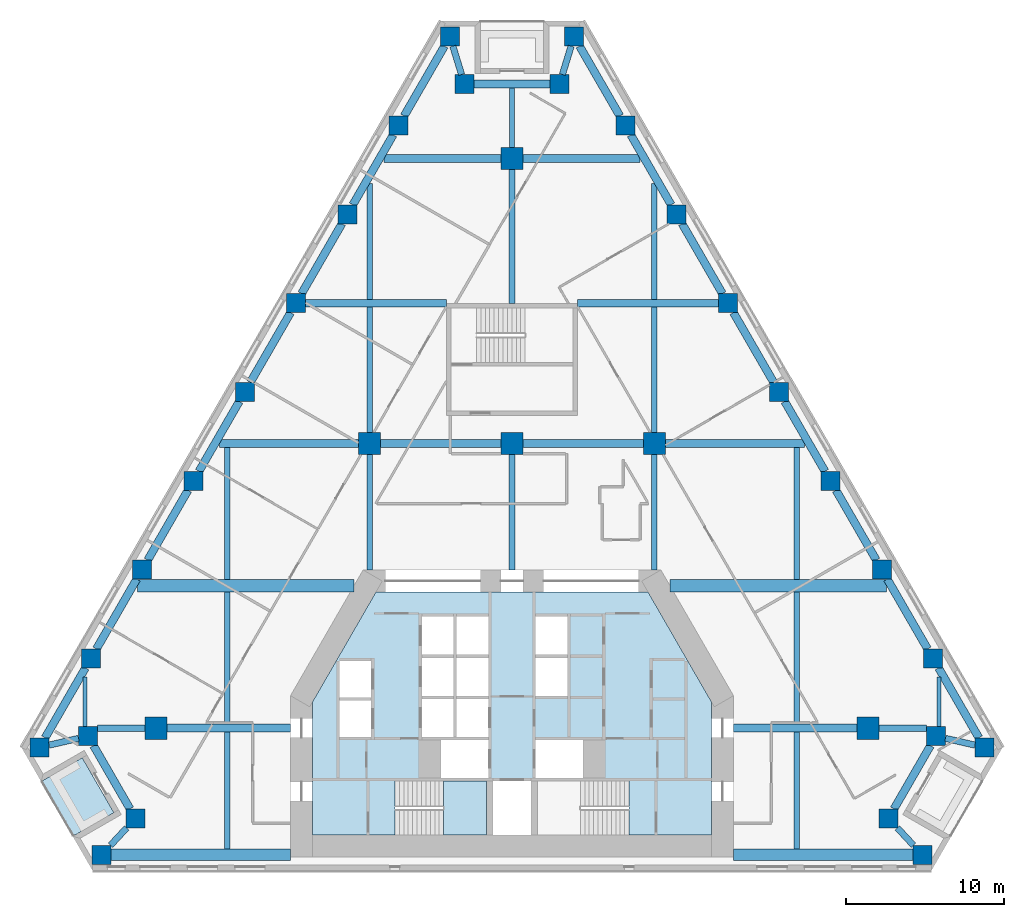
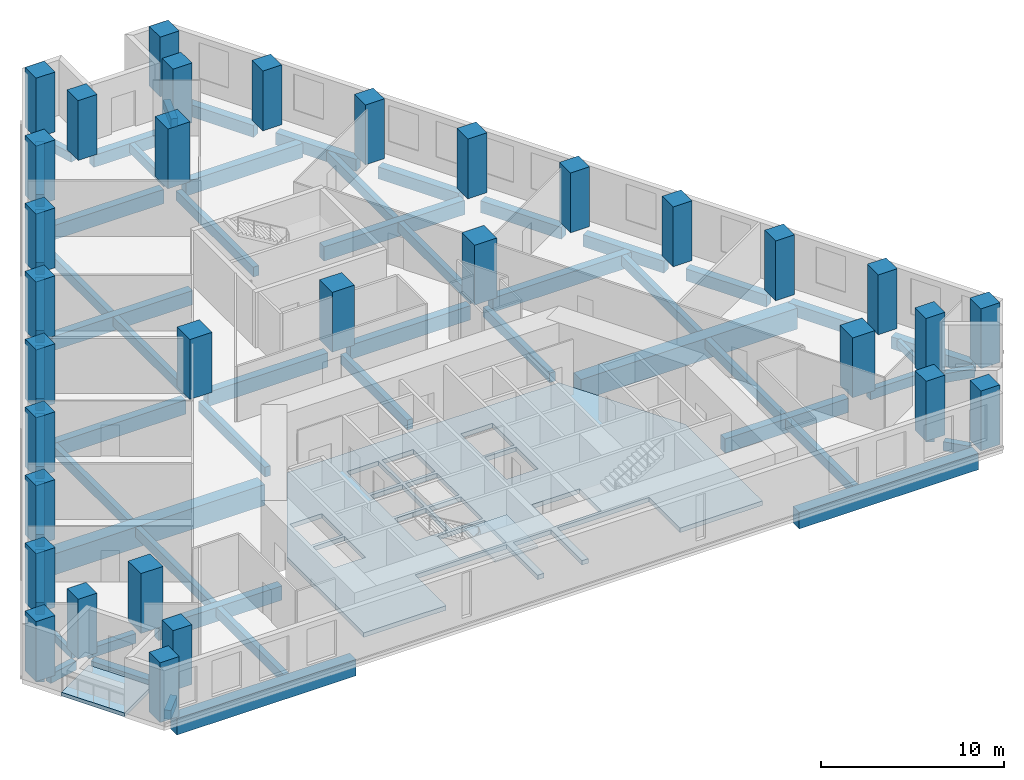
# One storey, part 1 of 9: 58 beams, 32 columns, 3 slabs, 1 element without a shape of its own.
"""IFC4 building model written with IfcOpenShell, lengths in metres."""

from ifc_helpers import new_model, si_unit, direction, frame, origin, origin_2d, place, context, subcontext, project, spatial, polyline, rectangle, outline, extrude, material, layer, layer_set, material_profile, profile_set, type_object, element, aggregate, save


model = new_model("IFC4")

# Units and contexts
model_context = context("Model", 3, precision=1e-05, world=origin(), true_north=direction((0.0, 1.0)))
body_context = subcontext(model_context, "Body", "Model", "MODEL_VIEW")
ifc_project = project(units=[si_unit("LENGTHUNIT", "METRE"), si_unit("AREAUNIT", "SQUARE_METRE"), si_unit("VOLUMEUNIT", "CUBIC_METRE"), si_unit("PLANEANGLEUNIT", "RADIAN"), si_unit("MASSUNIT", "GRAM", prefix="KILO")], contexts=[model_context])

# Site, building, storey
site_placement = place(None, origin())
site = spatial("IfcSite", under=ifc_project, at=site_placement, CompositionType="ELEMENT")
building_placement = place(site_placement, origin())
building = spatial("IfcBuilding", under=site, at=building_placement, Name="Fogline Exchange Tower", CompositionType="ELEMENT")
storey_placement = place(building_placement, frame((0.0, 0.0, 80.89990234375)))
storey = spatial("IfcBuildingStorey", under=building, at=storey_placement, Name="L17", CompositionType="ELEMENT", Elevation=80.89990234375)

# Columns
ifc_material_1 = material(Name="Concrete C80", Category="concrete")
ifc_material_profile_1 = material_profile(ifc_material_1, rectangle(XDim=1.199951171875, YDim=1.199951171875, at=origin_2d()), Name="RC 1200x1200")
ifc_profile_set_1 = profile_set([ifc_material_profile_1], Name="Concrete C80")
column_type_1 = type_object("IfcColumnType", Name="C01", PredefinedType="COLUMN", material=ifc_profile_set_1)
for number, where, z_axis, x_axis, name in (
    (1, (-29.855712890625, 7.794189453125, 0.0), (0.0, 0.0, 1.0), (1.0, 0.0, 0.0), "SW-a"),
    (2, (-26.79638671875, 8.4951171875, 0.0), (0.0, 0.0, 1.0), (1.0, 0.0, 0.0), "SW-p4"),
    (3, (-23.79638671875, 3.299072265625, 0.0), (0.0, 0.0, 1.0), (1.0, 0.0, 0.0), "SW-p3"),
    (4, (-25.93310546875, 1.0, 0.0), (0.0, 0.0, 1.0), (1.0, 0.0, 0.0), "SW-b"),
    (5, (25.93310546875, 1.0, 0.0), (0.0, 0.0, 1.0), (1.0, 0.0, 0.0), "SE-a"),
    (6, (23.79638671875, 3.299072265625, 0.0), (0.0, 0.0, 1.0), (1.0, 0.0, 0.0), "SE-p4"),
    (7, (26.79638671875, 8.4951171875, 0.0), (0.0, 0.0, 1.0), (1.0, 0.0, 0.0), "SE-p3"),
    (8, (29.855712890625, 7.794189453125, 0.0), (0.0, 0.0, 1.0), (1.0, 0.0, 0.0), "SE-b"),
    (9, (26.614013671875, 13.408935546875, 0.0), (0.0, 0.0, 1.0), (1.0, 0.0, 0.0), "E1"),
    (10, (23.37255859375, 19.023681640625, 0.0), (0.0, 0.0, 1.0), (1.0, 0.0, 0.0), "E2"),
    (11, (20.130859375, 24.63818359375, 0.0), (0.0, 0.0, 1.0), (1.0, 0.0, 0.0), "E3"),
    (12, (16.88916015625, 30.2529296875, 0.0), (0.0, 0.0, 1.0), (1.0, 0.0, 0.0), "E4"),
    (13, (13.647705078125, 35.86767578125, 0.0), (0.0, 0.0, 1.0), (1.0, 0.0, 0.0), "E5"),
    (14, (10.406005859375, 41.482421875, 0.0), (0.0, 0.0, 1.0), (1.0, 0.0, 0.0), "E6"),
    (15, (7.164306640625, 47.096923828125, 0.0), (0.0, 0.0, 1.0), (1.0, 0.0, 0.0), "E7"),
    (16, (3.922607421875, 52.711669921875, 0.0), (0.0, 0.0, 1.0), (1.0, 0.0, 0.0), "N-a"),
    (17, (3.0, 49.711669921875, 0.0), (0.0, 0.0, 1.0), (1.0, 0.0, 0.0), "N-p4"),
    (18, (-3.0, 49.711669921875, 0.0), (0.0, 0.0, 1.0), (1.0, 0.0, 0.0), "N-p3"),
    (19, (-3.922607421875, 52.711669921875, 0.0), (0.0, 0.0, 1.0), (1.0, 0.0, 0.0), "N-b"),
    (20, (-7.164306640625, 47.096923828125, 0.0), (0.0, 0.0, 1.0), (1.0, 0.0, 0.0), "W1"),
    (21, (-10.406005859375, 41.482421875, 0.0), (0.0, 0.0, 1.0), (1.0, 0.0, 0.0), "W2"),
    (22, (-13.647705078125, 35.86767578125, 0.0), (0.0, 0.0, 1.0), (1.0, 0.0, 0.0), "W3"),
    (23, (-16.88916015625, 30.2529296875, 0.0), (0.0, 0.0, 1.0), (1.0, 0.0, 0.0), "W4"),
    (24, (-20.130859375, 24.63818359375, 0.0), (0.0, 0.0, 1.0), (1.0, 0.0, 0.0), "W5"),
    (25, (-23.37255859375, 19.023681640625, 0.0), (0.0, 0.0, 1.0), (1.0, 0.0, 0.0), "W6"),
    (26, (-26.614013671875, 13.408935546875, 0.0), (0.0, 0.0, 1.0), (1.0, 0.0, 0.0), "W7"),
):
    element("IfcColumn", number, at=place(storey_placement, frame(where, z_axis=z_axis, x_axis=x_axis)), inside=storey, type_object=column_type_1, Name=name, PredefinedType="COLUMN", context=body_context, shape_type="SweptSolid", body=[
        extrude(rectangle(XDim=1.199951171875, YDim=1.199951171875, at=origin_2d()), origin(), (0.0, 0.0, 1.0), 4.0),
    ])
ifc_material_profile_2 = material_profile(ifc_material_1, rectangle(XDim=1.39990234375, YDim=1.39990234375, at=origin_2d()), Name="RC 1400x1400")
ifc_profile_set_2 = profile_set([ifc_material_profile_2], Name="Concrete C80")
column_type_2 = type_object("IfcColumnType", Name="C02", PredefinedType="COLUMN", material=ifc_profile_set_2)
for number, where, z_axis, x_axis, name in (
    (27, (-9.0, 27.0, 0.0), (0.0, 0.0, 1.0), (1.0, 0.0, 0.0), "IC--9-27"),
    (28, (0.0, 27.0, 0.0), (0.0, 0.0, 1.0), (1.0, 0.0, 0.0), "IC-0-27"),
    (29, (9.0, 27.0, 0.0), (0.0, 0.0, 1.0), (1.0, 0.0, 0.0), "IC-9-27"),
    (30, (0.0, 45.0, 0.0), (0.0, 0.0, 1.0), (1.0, 0.0, 0.0), "IC-0-45"),
    (31, (-22.5, 9.0, 0.0), (0.0, 0.0, 1.0), (1.0, 0.0, 0.0), "IC--225-9"),
    (32, (22.5, 9.0, 0.0), (0.0, 0.0, 1.0), (1.0, 0.0, 0.0), "IC-225-9"),
):
    element("IfcColumn", number, at=place(storey_placement, frame(where, z_axis=z_axis, x_axis=x_axis)), inside=storey, type_object=column_type_2, Name=name, PredefinedType="COLUMN", context=body_context, shape_type="SweptSolid", body=[
        extrude(rectangle(XDim=1.39990234375, YDim=1.39990234375, at=origin_2d()), origin(), (0.0, 0.0, 1.0), 4.0),
    ])

# Beams
ifc_material_2 = material(Name="Concrete C40", Category="concrete")
ifc_material_profile_3 = material_profile(ifc_material_2, rectangle(XDim=0.300048828125, YDim=0.60009765625, at=origin_2d()), Name="RC 300x600")
ifc_profile_set_3 = profile_set([ifc_material_profile_3], Name="Concrete C40")
beam_type_1 = type_object("IfcBeamType", Name="B06", PredefinedType="BEAM", material=ifc_profile_set_3)
beam_1_placement = place(storey_placement, frame((0.0, 45.699951171875, -0.599853515625), z_axis=(0.0, 1.0, 0.0), x_axis=(-1.0, 0.0, 0.0)))
element("IfcBeam", 33, at=beam_1_placement, inside=storey, type_object=beam_type_1, Name="SB010", PredefinedType="BEAM", context=body_context, shape_type="SweptSolid", body=[
    extrude(rectangle(XDim=0.300048828125, YDim=0.60009765625, at=origin_2d()), origin(), (0.0, 0.0, 1.0), 3.76171875),
])
ifc_material_profile_4 = material_profile(ifc_material_2, rectangle(XDim=0.25, YDim=0.5, at=origin_2d()), Name="RC 250x500")
ifc_profile_set_4 = profile_set([ifc_material_profile_4], Name="Concrete C40")
beam_type_2 = type_object("IfcBeamType", Name="B08", PredefinedType="BEAM", material=ifc_profile_set_4)
for number, where, z_axis, x_axis, name in (
    (34, (-27.0, 9.09521484375, -0.5498046875), (0.0, 1.0, 0.0), (-1.0, 0.0, 0.0), "SB001"),
    (35, (27.0, 9.09521484375, -0.5498046875), (0.0, 1.0, 0.0), (-1.0, 0.0, 0.0), "SB017"),
):
    element("IfcBeam", number, at=place(storey_placement, frame(where, z_axis=z_axis, x_axis=x_axis)), inside=storey, type_object=beam_type_2, Name=name, PredefinedType="BEAM", context=body_context, shape_type="SweptSolid", body=[
        extrude(rectangle(XDim=0.25, YDim=0.5, at=origin_2d()), origin(), (0.0, 0.0, 1.0), 3.145263671875),
    ])
ifc_material_profile_5 = material_profile(ifc_material_2, rectangle(XDim=0.5, YDim=0.800048828125, at=origin_2d()), Name="RC 500x800")
ifc_profile_set_5 = profile_set([ifc_material_profile_5], Name="Concrete C40")
beam_type_3 = type_object("IfcBeamType", Name="B10", PredefinedType="BEAM", material=ifc_profile_set_5)
for number, where, z_axis, x_axis, name in (
    (36, (-26.449951171875, 7.895263671875, -0.699951171875), (0.500014024385, -0.866017306651, 0.0), (0.866017306651, 0.500014024385, 0.0), "RB002"),
    (37, (24.142578125, 3.89892578125, -0.699951171875), (0.500014024385, 0.866017306651, 0.0), (-0.866017306651, 0.500014024385, 0.0), "RB007"),
):
    element("IfcBeam", number, at=place(storey_placement, frame(where, z_axis=z_axis, x_axis=x_axis)), inside=storey, type_object=beam_type_3, Name=name, PredefinedType="BEAM", context=body_context, shape_type="SweptSolid", body=[
        extrude(rectangle(XDim=0.5, YDim=0.800048828125, at=origin_2d()), origin(), (0.0, 0.0, 1.0), 4.614501953125),
    ])
beam_2_placement = place(storey_placement, frame((29.50927734375, 8.394287109375, -0.699951171875), z_axis=(-0.500012659481, 0.866018094706, 0.0), x_axis=(-0.866018094706, -0.500012659481, 0.0)))
element("IfcBeam", 38, at=beam_2_placement, inside=storey, type_object=beam_type_3, Name="RB009", PredefinedType="BEAM", context=body_context, shape_type="SweptSolid", body=[
    extrude(rectangle(XDim=0.5, YDim=0.800048828125, at=origin_2d()), origin(), (0.0, 0.0, 1.0), 5.097412109375),
])
for number, where, z_axis, x_axis, name in (
    (39, (26.267578125, 14.0087890625, -0.699951171875), (-0.499956000529, 0.8660508054, 0.0), (-0.8660508054, -0.499956000529, 0.0), "RB010"),
    (40, (23.026123046875, 19.62353515625, -0.699951171875), (-0.499991921166, 0.866030068051, 0.0), (-0.866030068051, -0.499991921166, 0.0), "RB011"),
):
    element("IfcBeam", number, at=place(storey_placement, frame(where, z_axis=z_axis, x_axis=x_axis)), inside=storey, type_object=beam_type_3, Name=name, PredefinedType="BEAM", context=body_context, shape_type="SweptSolid", body=[
        extrude(rectangle(XDim=0.5, YDim=0.800048828125, at=origin_2d()), origin(), (0.0, 0.0, 1.0), 5.09765625),
    ])
beam_3_placement = place(storey_placement, frame((19.784423828125, 25.23828125, -0.699951171875), z_axis=(-0.500012659481, 0.866018094706, 0.0), x_axis=(-0.866018094706, -0.500012659481, 0.0)))
element("IfcBeam", 41, at=beam_3_placement, inside=storey, type_object=beam_type_3, Name="RB012", PredefinedType="BEAM", context=body_context, shape_type="SweptSolid", body=[
    extrude(rectangle(XDim=0.5, YDim=0.800048828125, at=origin_2d()), origin(), (0.0, 0.0, 1.0), 5.097412109375),
])
for number, where, z_axis, x_axis, name in (
    (42, (16.542724609375, 30.852783203125, -0.699951171875), (-0.499991921166, 0.866030068051, 0.0), (-0.866030068051, -0.499991921166, 0.0), "RB013"),
    (43, (13.301025390625, 36.467529296875, -0.699951171875), (-0.499991921166, 0.866030068051, 0.0), (-0.866030068051, -0.499991921166, 0.0), "RB014"),
    (44, (10.0595703125, 42.082275390625, -0.699951171875), (-0.499991921166, 0.866030068051, 0.0), (-0.866030068051, -0.499991921166, 0.0), "RB015"),
    (45, (6.81787109375, 47.697021484375, -0.699951171875), (-0.499991921166, 0.866030068051, 0.0), (-0.866030068051, -0.499991921166, 0.0), "RB016"),
):
    element("IfcBeam", number, at=place(storey_placement, frame(where, z_axis=z_axis, x_axis=x_axis)), inside=storey, type_object=beam_type_3, Name=name, PredefinedType="BEAM", context=body_context, shape_type="SweptSolid", body=[
        extrude(rectangle(XDim=0.5, YDim=0.800048828125, at=origin_2d()), origin(), (0.0, 0.0, 1.0), 5.09765625),
    ])
beam_4_placement = place(storey_placement, frame((2.39990234375, 49.711669921875, -0.699951171875), z_axis=(-1.0, 0.0, 0.0), x_axis=(0.0, -1.0, 0.0)))
element("IfcBeam", 46, at=beam_4_placement, inside=storey, type_object=beam_type_3, Name="RB018", PredefinedType="BEAM", context=body_context, shape_type="SweptSolid", body=[
    extrude(rectangle(XDim=0.5, YDim=0.800048828125, at=origin_2d()), origin(), (0.0, 0.0, 1.0), 4.7998046875),
])
for number, where, z_axis, x_axis, name in (
    (47, (-4.26904296875, 52.11181640625, -0.699951171875), (-0.499991921166, -0.866030068051, 0.0), (0.866030068051, -0.499991921166, 0.0), "RB020"),
    (48, (-7.5107421875, 46.4970703125, -0.699951171875), (-0.499991921166, -0.866030068051, 0.0), (0.866030068051, -0.499991921166, 0.0), "RB021"),
    (49, (-10.752197265625, 40.88232421875, -0.699951171875), (-0.499991921166, -0.866030068051, 0.0), (0.866030068051, -0.499991921166, 0.0), "RB022"),
    (50, (-13.993896484375, 35.267578125, -0.699951171875), (-0.499991921166, -0.866030068051, 0.0), (0.866030068051, -0.499991921166, 0.0), "RB023"),
):
    element("IfcBeam", number, at=place(storey_placement, frame(where, z_axis=z_axis, x_axis=x_axis)), inside=storey, type_object=beam_type_3, Name=name, PredefinedType="BEAM", context=body_context, shape_type="SweptSolid", body=[
        extrude(rectangle(XDim=0.5, YDim=0.800048828125, at=origin_2d()), origin(), (0.0, 0.0, 1.0), 5.09765625),
    ])
beam_5_placement = place(storey_placement, frame((-17.235595703125, 29.65283203125, -0.699951171875), z_axis=(-0.500012659481, -0.866018094706, 0.0), x_axis=(0.866018094706, -0.500012659481, 0.0)))
element("IfcBeam", 51, at=beam_5_placement, inside=storey, type_object=beam_type_3, Name="RB024", PredefinedType="BEAM", context=body_context, shape_type="SweptSolid", body=[
    extrude(rectangle(XDim=0.5, YDim=0.800048828125, at=origin_2d()), origin(), (0.0, 0.0, 1.0), 5.097412109375),
])
for number, where, z_axis, x_axis, name in (
    (52, (-20.477294921875, 24.038330078125, -0.699951171875), (-0.499991921166, -0.866030068051, 0.0), (0.866030068051, -0.499991921166, 0.0), "RB025"),
    (53, (-23.718994140625, 18.423583984375, -0.699951171875), (-0.499956000529, -0.8660508054, 0.0), (0.8660508054, -0.499956000529, 0.0), "RB026"),
):
    element("IfcBeam", number, at=place(storey_placement, frame(where, z_axis=z_axis, x_axis=x_axis)), inside=storey, type_object=beam_type_3, Name=name, PredefinedType="BEAM", context=body_context, shape_type="SweptSolid", body=[
        extrude(rectangle(XDim=0.5, YDim=0.800048828125, at=origin_2d()), origin(), (0.0, 0.0, 1.0), 5.09765625),
    ])
beam_6_placement = place(storey_placement, frame((-26.96044921875, 12.808837890625, -0.699951171875), z_axis=(-0.500012659481, -0.866018094706, 0.0), x_axis=(0.866018094706, -0.500012659481, 0.0)))
element("IfcBeam", 54, at=beam_6_placement, inside=storey, type_object=beam_type_3, Name="RB027", PredefinedType="BEAM", context=body_context, shape_type="SweptSolid", body=[
    extrude(rectangle(XDim=0.5, YDim=0.800048828125, at=origin_2d()), origin(), (0.0, 0.0, 1.0), 5.097412109375),
])
ifc_material_profile_6 = material_profile(ifc_material_2, rectangle(XDim=0.39990234375, YDim=0.60009765625, at=origin_2d()), Name="RC 400x600")
ifc_profile_set_6 = profile_set([ifc_material_profile_6], Name="Concrete C40")
beam_type_4 = type_object("IfcBeamType", Name="B11", PredefinedType="BEAM", material=ifc_profile_set_6)
beam_7_placement = place(storey_placement, frame((-29.255615234375, 7.931640625, -0.599853515625), z_axis=(0.974741606569, 0.223335622829, 0.0), x_axis=(-0.223335622829, 0.974741606569, 0.0)))
element("IfcBeam", 55, at=beam_7_placement, inside=storey, type_object=beam_type_4, Name="RB001", PredefinedType="BEAM", context=body_context, shape_type="SweptSolid", body=[
    extrude(rectangle(XDim=0.39990234375, YDim=0.60009765625, at=origin_2d()), origin(), (0.0, 0.0, 1.0), 1.907470703125),
])
for number, where, z_axis, x_axis, name in (
    (56, (-24.35400390625, 2.698974609375, -0.599853515625), (-0.680844217962, -0.732428256464, 0.0), (0.732428256464, -0.680844217962, 0.0), "RB003"),
    (57, (25.37548828125, 1.60009765625, -0.599853515625), (-0.680844217962, 0.732428256464, 0.0), (-0.732428256464, -0.680844217962, 0.0), "RB006"),
):
    element("IfcBeam", number, at=place(storey_placement, frame(where, z_axis=z_axis, x_axis=x_axis)), inside=storey, type_object=beam_type_4, Name=name, PredefinedType="BEAM", context=body_context, shape_type="SweptSolid", body=[
        extrude(rectangle(XDim=0.39990234375, YDim=0.60009765625, at=origin_2d()), origin(), (0.0, 0.0, 1.0), 1.500244140625),
    ])
beam_8_placement = place(storey_placement, frame((27.396240234375, 8.357666015625, -0.599853515625), z_axis=(0.974741606569, -0.223335622829, 0.0), x_axis=(0.223335622829, 0.974741606569, 0.0)))
element("IfcBeam", 58, at=beam_8_placement, inside=storey, type_object=beam_type_4, Name="RB008", PredefinedType="BEAM", context=body_context, shape_type="SweptSolid", body=[
    extrude(rectangle(XDim=0.39990234375, YDim=0.60009765625, at=origin_2d()), origin(), (0.0, 0.0, 1.0), 1.907470703125),
])
for number, where, z_axis, x_axis, name in (
    (59, (3.738037109375, 52.11181640625, -0.599853515625), (-0.293894535925, -0.955837853275, 0.0), (0.955837853275, -0.293894535925, 0.0), "RB017"),
    (60, (-3.1845703125, 50.311767578125, -0.599853515625), (-0.293894535925, 0.955837853275, 0.0), (-0.955837853275, -0.293894535925, 0.0), "RB019"),
):
    element("IfcBeam", number, at=place(storey_placement, frame(where, z_axis=z_axis, x_axis=x_axis)), inside=storey, type_object=beam_type_4, Name=name, PredefinedType="BEAM", context=body_context, shape_type="SweptSolid", body=[
        extrude(rectangle(XDim=0.39990234375, YDim=0.60009765625, at=origin_2d()), origin(), (0.0, 0.0, 1.0), 1.88330078125),
    ])
ifc_material_profile_7 = material_profile(ifc_material_2, rectangle(XDim=0.699951171875, YDim=1.10009765625, at=origin_2d()), Name="RC 700x1100")
ifc_profile_set_7 = profile_set([ifc_material_profile_7], Name="Concrete C40")
beam_type_5 = type_object("IfcBeamType", Name="B12", PredefinedType="BEAM", material=ifc_profile_set_7)
for number, where, z_axis, x_axis, name in (
    (61, (-25.3330078125, 1.0, -0.849853515625), (1.0, 0.0, 0.0), (0.0, 1.0, 0.0), "RB004"),
    (62, (14.0, 1.0, -0.849853515625), (1.0, 0.0, 0.0), (0.0, 1.0, 0.0), "RB005"),
):
    element("IfcBeam", number, at=place(storey_placement, frame(where, z_axis=z_axis, x_axis=x_axis)), inside=storey, type_object=beam_type_5, Name=name, PredefinedType="BEAM", context=body_context, shape_type="SweptSolid", body=[
        extrude(rectangle(XDim=0.699951171875, YDim=1.10009765625, at=origin_2d()), origin(), (0.0, 0.0, 1.0), 11.3330078125),
    ])
ifc_material_profile_8 = material_profile(ifc_material_2, rectangle(XDim=0.39990234375, YDim=0.64990234375, at=origin_2d()), Name="RC 400x650")
ifc_profile_set_8 = profile_set([ifc_material_profile_8], Name="Concrete C40")
beam_type_6 = type_object("IfcBeamType", Name="B13", PredefinedType="BEAM", material=ifc_profile_set_8)
for number, where, z_axis, x_axis, name in (
    (63, (-26.1962890625, 9.0, -0.625), (1.0, 0.0, 0.0), (0.0, 1.0, 0.0), "GB001"),
    (64, (23.199951171875, 9.0, -0.625), (1.0, 0.0, 0.0), (0.0, 1.0, 0.0), "GB004"),
):
    element("IfcBeam", number, at=place(storey_placement, frame(where, z_axis=z_axis, x_axis=x_axis)), inside=storey, type_object=beam_type_6, Name=name, PredefinedType="BEAM", context=body_context, shape_type="SweptSolid", body=[
        extrude(rectangle(XDim=0.39990234375, YDim=0.64990234375, at=origin_2d()), origin(), (0.0, 0.0, 1.0), 2.996337890625),
    ])
ifc_material_profile_9 = material_profile(ifc_material_2, rectangle(XDim=0.5, YDim=0.949951171875, at=origin_2d()), Name="RC 500x950")
ifc_profile_set_9 = profile_set([ifc_material_profile_9], Name="Concrete C40")
beam_type_7 = type_object("IfcBeamType", Name="B14", PredefinedType="BEAM", material=ifc_profile_set_9)
for number, where, z_axis, x_axis, name in (
    (65, (-21.800048828125, 9.0, -0.77490234375), (1.0, 0.0, 0.0), (0.0, 1.0, 0.0), "GB002"),
    (66, (14.0, 9.0, -0.77490234375), (1.0, 0.0, 0.0), (0.0, 1.0, 0.0), "GB003"),
):
    element("IfcBeam", number, at=place(storey_placement, frame(where, z_axis=z_axis, x_axis=x_axis)), inside=storey, type_object=beam_type_7, Name=name, PredefinedType="BEAM", context=body_context, shape_type="SweptSolid", body=[
        extrude(rectangle(XDim=0.5, YDim=0.949951171875, at=origin_2d()), origin(), (0.0, 0.0, 1.0), 7.800048828125),
    ])
beam_9_placement = place(storey_placement, frame((-18.478515625, 27.0, -0.77490234375), z_axis=(1.0, 0.0, 0.0), x_axis=(0.0, 1.0, 0.0)))
element("IfcBeam", 67, at=beam_9_placement, inside=storey, type_object=beam_type_7, Name="GB007", PredefinedType="BEAM", context=body_context, shape_type="SweptSolid", body=[
    extrude(rectangle(XDim=0.5, YDim=0.949951171875, at=origin_2d()), origin(), (0.0, 0.0, 1.0), 8.778564453125),
])
for number, where, z_axis, x_axis, name in (
    (68, (-8.300048828125, 27.0, -0.77490234375), (1.0, 0.0, 0.0), (0.0, 1.0, 0.0), "GB008"),
    (69, (0.699951171875, 27.0, -0.77490234375), (1.0, 0.0, 0.0), (0.0, 1.0, 0.0), "GB009"),
):
    element("IfcBeam", number, at=place(storey_placement, frame(where, z_axis=z_axis, x_axis=x_axis)), inside=storey, type_object=beam_type_7, Name=name, PredefinedType="BEAM", context=body_context, shape_type="SweptSolid", body=[
        extrude(rectangle(XDim=0.5, YDim=0.949951171875, at=origin_2d()), origin(), (0.0, 0.0, 1.0), 7.60009765625),
    ])
beam_10_placement = place(storey_placement, frame((9.699951171875, 27.0, -0.77490234375), z_axis=(1.0, 0.0, 0.0), x_axis=(0.0, 1.0, 0.0)))
element("IfcBeam", 70, at=beam_10_placement, inside=storey, type_object=beam_type_7, Name="GB010", PredefinedType="BEAM", context=body_context, shape_type="SweptSolid", body=[
    extrude(rectangle(XDim=0.5, YDim=0.949951171875, at=origin_2d()), origin(), (0.0, 0.0, 1.0), 8.778564453125),
])
for number, where, z_axis, x_axis, name in (
    (71, (-13.047607421875, 35.85693359375, -0.77490234375), (1.0, 0.0, 0.0), (0.0, 1.0, 0.0), "GB011"),
    (72, (4.14990234375, 35.85693359375, -0.77490234375), (1.0, 0.0, 0.0), (0.0, 1.0, 0.0), "GB012"),
):
    element("IfcBeam", number, at=place(storey_placement, frame(where, z_axis=z_axis, x_axis=x_axis)), inside=storey, type_object=beam_type_7, Name=name, PredefinedType="BEAM", context=body_context, shape_type="SweptSolid", body=[
        extrude(rectangle(XDim=0.5, YDim=0.949951171875, at=origin_2d()), origin(), (0.0, 0.0, 1.0), 8.897705078125),
    ])
for number, where, z_axis, x_axis, name in (
    (73, (-8.086181640625, 45.0, -0.77490234375), (1.0, 0.0, 0.0), (0.0, 1.0, 0.0), "GB013"),
    (74, (0.699951171875, 45.0, -0.77490234375), (1.0, 0.0, 0.0), (0.0, 1.0, 0.0), "GB014"),
):
    element("IfcBeam", number, at=place(storey_placement, frame(where, z_axis=z_axis, x_axis=x_axis)), inside=storey, type_object=beam_type_7, Name=name, PredefinedType="BEAM", context=body_context, shape_type="SweptSolid", body=[
        extrude(rectangle(XDim=0.5, YDim=0.949951171875, at=origin_2d()), origin(), (0.0, 0.0, 1.0), 7.38623046875),
    ])
ifc_material_profile_10 = material_profile(ifc_material_2, rectangle(XDim=0.800048828125, YDim=1.39990234375, at=origin_2d()), Name="RC 800x1400")
ifc_profile_set_10 = profile_set([ifc_material_profile_10], Name="Concrete C40")
beam_type_8 = type_object("IfcBeamType", Name="B15", PredefinedType="BEAM", material=ifc_profile_set_10)
for number, where, z_axis, x_axis, name in (
    (75, (-23.6748046875, 18.0, -1.0), (1.0, 0.0, 0.0), (0.0, 1.0, 0.0), "GB005"),
    (76, (9.989013671875, 18.0, -1.0), (1.0, 0.0, 0.0), (0.0, 1.0, 0.0), "GB006"),
):
    element("IfcBeam", number, at=place(storey_placement, frame(where, z_axis=z_axis, x_axis=x_axis)), inside=storey, type_object=beam_type_8, Name=name, PredefinedType="BEAM", context=body_context, shape_type="SweptSolid", body=[
        extrude(rectangle(XDim=0.800048828125, YDim=1.39990234375, at=origin_2d()), origin(), (0.0, 0.0, 1.0), 13.685791015625),
    ])
ifc_material_profile_11 = material_profile(ifc_material_2, rectangle(XDim=0.35009765625, YDim=0.64990234375, at=origin_2d()), Name="RC 350x650")
ifc_profile_set_11 = profile_set([ifc_material_profile_11], Name="Concrete C40")
beam_type_9 = type_object("IfcBeamType", Name="B16", PredefinedType="BEAM", material=ifc_profile_set_11)
beam_11_placement = place(storey_placement, frame((-18.0, 1.35009765625, -0.625), z_axis=(0.0, 1.0, 0.0), x_axis=(-1.0, 0.0, 0.0)))
element("IfcBeam", 77, at=beam_11_placement, inside=storey, type_object=beam_type_9, Name="SB002", PredefinedType="BEAM", context=body_context, shape_type="SweptSolid", body=[
    extrude(rectangle(XDim=0.35009765625, YDim=0.64990234375, at=origin_2d()), origin(), (0.0, 0.0, 1.0), 7.39990234375),
])
for number, where, z_axis, x_axis, name in (
    (78, (-18.0, 9.25, -0.625), (0.0, 1.0, 0.0), (-1.0, 0.0, 0.0), "SB003"),
    (79, (-18.0, 18.39990234375, -0.625), (0.0, 1.0, 0.0), (-1.0, 0.0, 0.0), "SB004"),
):
    element("IfcBeam", number, at=place(storey_placement, frame(where, z_axis=z_axis, x_axis=x_axis)), inside=storey, type_object=beam_type_9, Name=name, PredefinedType="BEAM", context=body_context, shape_type="SweptSolid", body=[
        extrude(rectangle(XDim=0.35009765625, YDim=0.64990234375, at=origin_2d()), origin(), (0.0, 0.0, 1.0), 8.35009765625),
    ])
beam_12_placement = place(storey_placement, frame((-9.0, 19.0, -0.625), z_axis=(0.0, 1.0, 0.0), x_axis=(-1.0, 0.0, 0.0)))
element("IfcBeam", 80, at=beam_12_placement, inside=storey, type_object=beam_type_9, Name="SB005", PredefinedType="BEAM", context=body_context, shape_type="SweptSolid", body=[
    extrude(rectangle(XDim=0.35009765625, YDim=0.64990234375, at=origin_2d()), origin(), (0.0, 0.0, 1.0), 7.300048828125),
])
beam_13_placement = place(storey_placement, frame((-9.0, 27.699951171875, -0.625), z_axis=(0.0, 1.0, 0.0), x_axis=(-1.0, 0.0, 0.0)))
element("IfcBeam", 81, at=beam_13_placement, inside=storey, type_object=beam_type_9, Name="SB006", PredefinedType="BEAM", context=body_context, shape_type="SweptSolid", body=[
    extrude(rectangle(XDim=0.35009765625, YDim=0.64990234375, at=origin_2d()), origin(), (0.0, 0.0, 1.0), 7.906982421875),
])
beam_14_placement = place(storey_placement, frame((-9.0, 36.10693359375, -0.625), z_axis=(0.0, 1.0, 0.0), x_axis=(-1.0, 0.0, 0.0)))
element("IfcBeam", 82, at=beam_14_placement, inside=storey, type_object=beam_type_9, Name="SB007", PredefinedType="BEAM", context=body_context, shape_type="SweptSolid", body=[
    extrude(rectangle(XDim=0.35009765625, YDim=0.64990234375, at=origin_2d()), origin(), (0.0, 0.0, 1.0), 7.310546875),
])
beam_15_placement = place(storey_placement, frame((0.0, 19.0, -0.625), z_axis=(0.0, 1.0, 0.0), x_axis=(-1.0, 0.0, 0.0)))
element("IfcBeam", 83, at=beam_15_placement, inside=storey, type_object=beam_type_9, Name="SB008", PredefinedType="BEAM", context=body_context, shape_type="SweptSolid", body=[
    extrude(rectangle(XDim=0.35009765625, YDim=0.64990234375, at=origin_2d()), origin(), (0.0, 0.0, 1.0), 7.300048828125),
])
beam_16_placement = place(storey_placement, frame((0.0, 35.85693359375, -0.625), z_axis=(0.0, 1.0, 0.0), x_axis=(-1.0, 0.0, 0.0)))
element("IfcBeam", 84, at=beam_16_placement, inside=storey, type_object=beam_type_9, Name="SB009", PredefinedType="BEAM", context=body_context, shape_type="SweptSolid", body=[
    extrude(rectangle(XDim=0.35009765625, YDim=0.64990234375, at=origin_2d()), origin(), (0.0, 0.0, 1.0), 8.443115234375),
])
beam_17_placement = place(storey_placement, frame((9.0, 19.0, -0.625), z_axis=(0.0, 1.0, 0.0), x_axis=(-1.0, 0.0, 0.0)))
element("IfcBeam", 85, at=beam_17_placement, inside=storey, type_object=beam_type_9, Name="SB011", PredefinedType="BEAM", context=body_context, shape_type="SweptSolid", body=[
    extrude(rectangle(XDim=0.35009765625, YDim=0.64990234375, at=origin_2d()), origin(), (0.0, 0.0, 1.0), 7.300048828125),
])
beam_18_placement = place(storey_placement, frame((9.0, 27.699951171875, -0.625), z_axis=(0.0, 1.0, 0.0), x_axis=(-1.0, 0.0, 0.0)))
element("IfcBeam", 86, at=beam_18_placement, inside=storey, type_object=beam_type_9, Name="SB012", PredefinedType="BEAM", context=body_context, shape_type="SweptSolid", body=[
    extrude(rectangle(XDim=0.35009765625, YDim=0.64990234375, at=origin_2d()), origin(), (0.0, 0.0, 1.0), 7.906982421875),
])
beam_19_placement = place(storey_placement, frame((9.0, 36.10693359375, -0.625), z_axis=(0.0, 1.0, 0.0), x_axis=(-1.0, 0.0, 0.0)))
element("IfcBeam", 87, at=beam_19_placement, inside=storey, type_object=beam_type_9, Name="SB013", PredefinedType="BEAM", context=body_context, shape_type="SweptSolid", body=[
    extrude(rectangle(XDim=0.35009765625, YDim=0.64990234375, at=origin_2d()), origin(), (0.0, 0.0, 1.0), 7.310546875),
])
beam_20_placement = place(storey_placement, frame((18.0, 1.35009765625, -0.625), z_axis=(0.0, 1.0, 0.0), x_axis=(-1.0, 0.0, 0.0)))
element("IfcBeam", 88, at=beam_20_placement, inside=storey, type_object=beam_type_9, Name="SB014", PredefinedType="BEAM", context=body_context, shape_type="SweptSolid", body=[
    extrude(rectangle(XDim=0.35009765625, YDim=0.64990234375, at=origin_2d()), origin(), (0.0, 0.0, 1.0), 7.39990234375),
])
for number, where, z_axis, x_axis, name in (
    (89, (18.0, 9.25, -0.625), (0.0, 1.0, 0.0), (-1.0, 0.0, 0.0), "SB015"),
    (90, (18.0, 18.39990234375, -0.625), (0.0, 1.0, 0.0), (-1.0, 0.0, 0.0), "SB016"),
):
    element("IfcBeam", number, at=place(storey_placement, frame(where, z_axis=z_axis, x_axis=x_axis)), inside=storey, type_object=beam_type_9, Name=name, PredefinedType="BEAM", context=body_context, shape_type="SweptSolid", body=[
        extrude(rectangle(XDim=0.35009765625, YDim=0.64990234375, at=origin_2d()), origin(), (0.0, 0.0, 1.0), 8.35009765625),
    ])

# Slabs
ifc_layer_1 = layer(ifc_material_2, 0.25)
ifc_layer_set_1 = layer_set([ifc_layer_1], Name="DK1")
slab_type_1 = type_object("IfcSlabType", Name="DK1", PredefinedType="FLOOR", material=ifc_layer_set_1)
slab_1_placement = place(storey_placement, frame((0.0, 0.0, -0.25)))
element("IfcSlab", 91, at=slab_1_placement, inside=storey, type_object=slab_type_1, Name="Balcony L17 SW", PredefinedType="FLOOR", context=body_context, shape_type="SweptSolid", body=[
    extrude(outline(polyline([(-29.760498046875, 5.629150390625), (-27.760498046875, 2.1650390625), (-25.162353515625, 3.6650390625), (-27.162353515625, 7.129150390625), (-29.760498046875, 5.629150390625)])), origin(), (0.0, 0.0, 1.0), 0.25),
])
ifc_layer_2 = layer(ifc_material_2, 0.300048828125)
ifc_layer_set_2 = layer_set([ifc_layer_2], Name="S04")
slab_type_2 = type_object("IfcSlabType", Name="S04", PredefinedType="FLOOR", material=ifc_layer_set_2)
slab_2_placement = place(storey_placement, frame((0.0, 0.0, -0.2998046875)))
element("IfcSlab", 92, at=slab_2_placement, inside=storey, type_object=slab_type_2, Name="Core floor slab", PredefinedType="FLOOR", context=body_context, shape_type="SweptSolid", body=[
    extrude(outline(polyline([(-12.60009765625, 2.25), (-12.60009765625, 10.677490234375), (-8.603271484375, 17.60009765625), (8.603271484375, 17.60009765625), (12.60009765625, 10.677490234375), (12.60009765625, 2.25), (7.389892578125, 2.25), (7.389892578125, 5.64990234375), (1.60009765625, 5.64990234375), (1.60009765625, 2.25), (1.199951171875, 2.25), (1.199951171875, 5.64990234375), (-1.199951171875, 5.64990234375), (-1.199951171875, 2.25), (-1.60009765625, 2.25), (-1.60009765625, 5.64990234375), (-7.389892578125, 5.64990234375), (-7.389892578125, 2.25), (-12.60009765625, 2.25)]), holes=[polyline([(-1.5, 8.25), (-4.5, 8.25), (-4.5, 5.85009765625), (-1.5, 5.85009765625), (-1.5, 8.25)]), polyline([(-8.89990234375, 10.75), (-10.89990234375, 10.75), (-10.89990234375, 8.449951171875), (-8.89990234375, 8.449951171875), (-8.89990234375, 10.75)]), polyline([(-3.699951171875, 10.85009765625), (-5.699951171875, 10.85009765625), (-5.699951171875, 8.449951171875), (-3.699951171875, 8.449951171875), (-3.699951171875, 10.85009765625)]), polyline([(-1.5, 10.85009765625), (-3.5, 10.85009765625), (-3.5, 8.449951171875), (-1.5, 8.449951171875), (-1.5, 10.85009765625)]), polyline([(-8.89990234375, 13.25), (-10.89990234375, 13.25), (-10.89990234375, 10.949951171875), (-8.89990234375, 10.949951171875), (-8.89990234375, 13.25)]), polyline([(-3.699951171875, 13.449951171875), (-5.699951171875, 13.449951171875), (-5.699951171875, 11.050048828125), (-3.699951171875, 11.050048828125), (-3.699951171875, 13.449951171875)]), polyline([(-3.699951171875, 16.050048828125), (-5.699951171875, 16.050048828125), (-5.699951171875, 13.64990234375), (-3.699951171875, 13.64990234375), (-3.699951171875, 16.050048828125)]), polyline([(4.5, 8.25), (1.5, 8.25), (1.5, 5.85009765625), (4.5, 5.85009765625), (4.5, 8.25)]), polyline([(-1.5, 13.449951171875), (-3.5, 13.449951171875), (-3.5, 11.050048828125), (-1.5, 11.050048828125), (-1.5, 13.449951171875)]), polyline([(3.5, 13.449951171875), (1.5, 13.449951171875), (1.5, 11.050048828125), (3.5, 11.050048828125), (3.5, 13.449951171875)]), polyline([(-1.5, 16.050048828125), (-3.5, 16.050048828125), (-3.5, 13.64990234375), (-1.5, 13.64990234375), (-1.5, 16.050048828125)]), polyline([(3.5, 16.050048828125), (1.5, 16.050048828125), (1.5, 13.64990234375), (3.5, 13.64990234375), (3.5, 16.050048828125)])]), origin(), (0.0, 0.0, 1.0), 0.2998046875),
])

# Stair, slab
stair_type = type_object("IfcStairType", Name="STR24-1667", PredefinedType="HALF_TURN_STAIR", material=ifc_material_2)
stair_placement = place(storey_placement, origin())
stair = element("IfcStair", 93, at=stair_placement, inside=storey, type_object=stair_type, Name="Stair ST1", PredefinedType="HALF_TURN_STAIR")
ifc_layer_3 = layer(ifc_material_2, 0.199951171875)
ifc_layer_set_3 = layer_set([ifc_layer_3], Name="SL200")
slab_type_3 = type_object("IfcSlabType", Name="SL200", PredefinedType="LANDING", material=ifc_layer_set_3)
slab_3_placement = place(storey_placement, frame((0.0, 0.0, 1.800048828125)))
slab_3 = element("IfcSlab", 94, at=slab_3_placement, type_object=slab_type_3, Name="ST1 landing 1", PredefinedType="LANDING", context=body_context, shape_type="SweptSolid", body=[
    extrude(outline(polyline([(-4.320068359375, 2.25), (-1.60009765625, 2.25), (-1.60009765625, 5.64990234375), (-4.320068359375, 5.64990234375), (-4.320068359375, 2.25)])), origin(), (0.0, 0.0, 1.0), 0.199951171875),
])
aggregate(stair, [slab_3])

save(model, "model.ifc")
